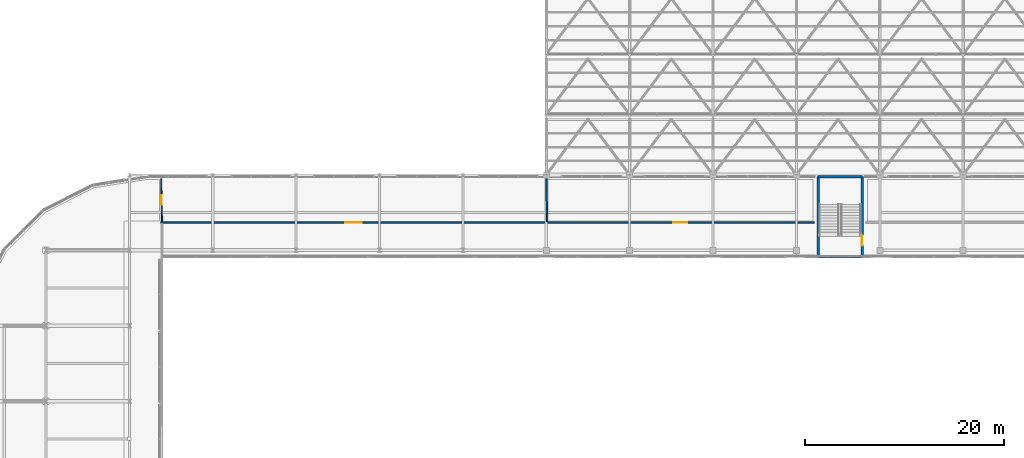
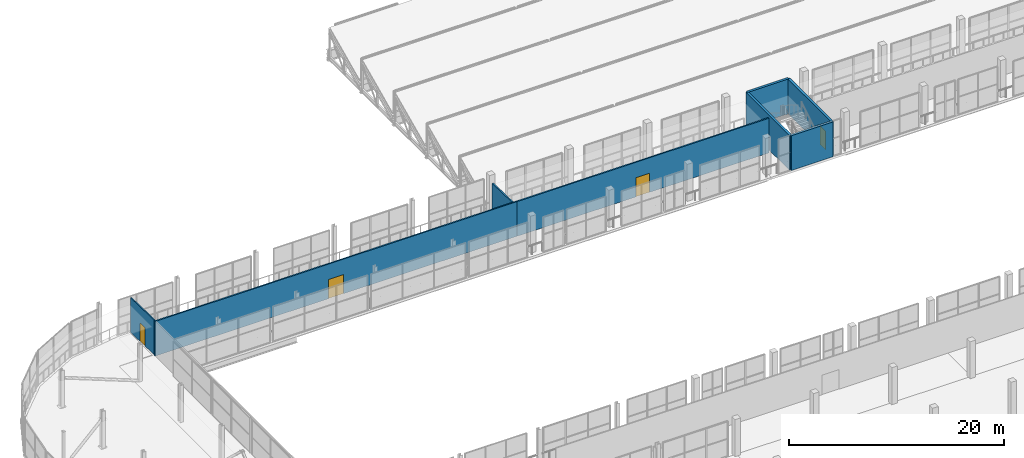
# One storey, part 196 of 217: 8 walls, 4 doors, 4 openings.
"""IFC4 building model written with IfcOpenShell, lengths in metres."""

from ifc_helpers import new_model, si_unit, direction, frame, frame_2d, origin, place, context, subcontext, project, spatial, rectangle, extrude, material, layer, layer_set, type_object, element, fill, save


model = new_model("IFC4")

# Units and contexts
model_context = context("Model", 3, precision=1e-05, world=origin(), true_north=direction((0.0, 1.0)))
body_context = subcontext(model_context, "Body", "Model", "MODEL_VIEW")
ifc_project = project(units=[si_unit("LENGTHUNIT", "METRE"), si_unit("AREAUNIT", "SQUARE_METRE"), si_unit("VOLUMEUNIT", "CUBIC_METRE"), si_unit("PLANEANGLEUNIT", "RADIAN"), si_unit("MASSUNIT", "GRAM", prefix="KILO")], contexts=[model_context])

# Site, building, storey
site_placement = place(None, origin())
site = spatial("IfcSite", under=ifc_project, at=site_placement, CompositionType="ELEMENT")
building_placement = place(site_placement, origin())
building = spatial("IfcBuilding", under=site, at=building_placement, Name="Zuvorla Pavilion Media Centre", CompositionType="ELEMENT")
storey_placement = place(building_placement, frame((0.0, 0.0, 9.60009765625)))
storey = spatial("IfcBuildingStorey", under=building, at=storey_placement, Name="L02", CompositionType="ELEMENT", Elevation=9.60009765625)

# Wall
ifc_material_1 = material(Name="Concrete C40/50", Category="concrete")
ifc_layer_1 = layer(ifc_material_1, 0.25)
ifc_layer_set_1 = layer_set([ifc_layer_1], Name="Concrete C40/50")
wall_type_1 = type_object("IfcWallType", Name="WL-COR-250", PredefinedType="SHEAR", material=ifc_layer_set_1)
wall_1_placement = place(storey_placement, frame((94.175048828125, 81.324951171875, 0.0), z_axis=(0.0, 0.0, 1.0), x_axis=(0.0, 1.0, 0.0)))
element("IfcWall", 1, at=wall_1_placement, inside=storey, type_object=wall_type_1, Name="L02 shear wall CW25 340", PredefinedType="SHEAR", context=body_context, shape_type="SweptSolid", body=[
    extrude(rectangle(XDim=8.10009765625, YDim=0.25, at=frame_2d((4.050048828125, 0.0))), origin(), (0.0, 0.0, 1.0), 3.949951171875),
])

# Wall, opening, door
wall_2_placement = place(storey_placement, frame((98.625, 81.324951171875, 0.0), z_axis=(0.0, 0.0, 1.0), x_axis=(0.0, 1.0, 0.0)))
wall_2 = element("IfcWall", 2, at=wall_2_placement, inside=storey, type_object=wall_type_1, Name="L02 shear wall CW25 341", PredefinedType="SHEAR", context=body_context, shape_type="SweptSolid", body=[
    extrude(rectangle(XDim=8.10009765625, YDim=0.25, at=frame_2d((4.050048828125, 0.0))), origin(), (0.0, 0.0, 1.0), 3.949951171875),
])
opening_1_placement = place(wall_2_placement, frame((1.14990234375, 0.0, 0.0)))
opening_1 = element("IfcOpeningElement", 3, at=opening_1_placement, cuts=wall_2, Name="Opening FD04", PredefinedType="OPENING", context=body_context, shape_type="SweptSolid", body=[
    extrude(rectangle(XDim=1.050048828125, YDim=2.10009765625, at=frame_2d((0.52490234375, 1.050048828125))), frame((0.0, 0.135009765625, 0.0), z_axis=(0.0, -1.0, 0.0), x_axis=(1.0, 0.0, 0.0)), (0.0, 0.0, 1.0), 0.27001953125),
])
ifc_material_2 = material(Name="Acoustic timber fire door leaf in steel frame", Category="steel")
door_type_1 = type_object("IfcDoorType", Name="DR-INT-FD04", OperationType="NOTDEFINED", PredefinedType="DOOR", material=ifc_material_2)
door_1_placement = place(opening_1_placement, frame((1.050048828125, 0.0, 0.0), z_axis=(0.0, 0.0, 1.0), x_axis=(-1.0, 0.0, 0.0)))
door_1 = element("IfcDoor", 4, at=door_1_placement, inside=storey, type_object=door_type_1, Name="Stair ST-05 fire door FD04 115", OperationType="SINGLE_SWING_LEFT", OverallHeight=2.10009765625, OverallWidth=1.050048828125, PredefinedType="DOOR", context=body_context, shape_type="SweptSolid", body=[
    extrude(rectangle(XDim=1.050048828125, YDim=2.10009765625, at=frame_2d((0.52490234375, 1.050048828125))), frame((0.0, 0.02490234375, 0.0), z_axis=(0.0, -1.0, 0.0), x_axis=(1.0, 0.0, 0.0)), (0.0, 0.0, 1.0), 0.050048828125),
])
fill(opening_1, door_1)

# Walls
for number, where, z_axis, x_axis, name in (
    (5, (94.175048828125, 89.425048828125, 0.0), (0.0, 0.0, 1.0), (1.0, 0.0, 0.0), "L02 shear wall CW25 342"),
    (6, (94.175048828125, 81.324951171875, 0.0), (0.0, 0.0, 1.0), (1.0, 0.0, 0.0), "L02 shear wall CW25 343"),
):
    element("IfcWall", number, at=place(storey_placement, frame(where, z_axis=z_axis, x_axis=x_axis)), inside=storey, type_object=wall_type_1, Name=name, PredefinedType="SHEAR", context=body_context, shape_type="SweptSolid", body=[
        extrude(rectangle(XDim=4.449951171875, YDim=0.25, at=frame_2d((2.22509765625, 0.0))), origin(), (0.0, 0.0, 1.0), 3.949951171875),
    ])

# Wall, opening, door
ifc_material_3 = material(Name="Lightweight gypsum partition")
ifc_layer_2 = layer(ifc_material_3, 0.1201171875)
ifc_layer_set_2 = layer_set([ifc_layer_2], Name="Lightweight gypsum partition")
wall_type_2 = type_object("IfcWallType", Name="WL-PRT-120", PredefinedType="PARTITIONING", material=ifc_layer_set_2)
wall_3_placement = place(storey_placement, frame((28.08837890625, 84.889892578125, 0.0), z_axis=(0.0, 0.0, 1.0), x_axis=(-0.020011778824, 0.999799744303, 0.0)))
wall_3 = element("IfcWall", 7, at=wall_3_placement, inside=storey, type_object=wall_type_2, Name="L02 partition PT12 515", PredefinedType="PARTITIONING", context=body_context, shape_type="SweptSolid", body=[
    extrude(rectangle(XDim=4.3310546875, YDim=0.1201171875, at=frame_2d((2.16552734375, 0.0))), origin(), (0.0, 0.0, 1.0), 3.929931640625),
])
opening_2_placement = place(wall_3_placement, frame((1.67529296875, 0.0, 0.0)))
opening_2 = element("IfcOpeningElement", 8, at=opening_2_placement, cuts=wall_3, Name="Opening ID03", PredefinedType="OPENING", context=body_context, shape_type="SweptSolid", body=[
    extrude(rectangle(XDim=0.97998046875, YDim=2.080078125, at=frame_2d((0.489990234375, 1.0400390625))), frame((0.0, 0.070068359375, 0.0), z_axis=(0.0, -1.0, 0.0), x_axis=(1.0, 0.0, 0.0)), (0.0, 0.0, 1.0), 0.14013671875),
])
ifc_material_4 = material(Name="Hardwood acoustic studio door in anodised frame", Category="wood")
door_type_2 = type_object("IfcDoorType", Name="DR-UNR-ID03", OperationType="NOTDEFINED", PredefinedType="DOOR", material=ifc_material_4)
door_2_placement = place(opening_2_placement, origin())
door_2 = element("IfcDoor", 9, at=door_2_placement, inside=storey, type_object=door_type_2, Name="Interior door ID03 218", OperationType="SINGLE_SWING_LEFT", OverallHeight=2.080078125, OverallWidth=0.97998046875, PredefinedType="DOOR", context=body_context, shape_type="SweptSolid", body=[
    extrude(rectangle(XDim=0.97998046875, YDim=2.080078125, at=frame_2d((0.489990234375, 1.0400390625))), frame((0.0, 0.02490234375, 0.0), z_axis=(0.0, -1.0, 0.0), x_axis=(1.0, 0.0, 0.0)), (0.0, 0.0, 1.0), 0.050048828125),
])
fill(opening_2, door_2)

ifc_material_5 = material(Name="Acoustic gypsum stud partition")
ifc_layer_3 = layer(ifc_material_5, 0.14990234375)
ifc_layer_set_3 = layer_set([ifc_layer_3], Name="Acoustic gypsum stud partition")
wall_type_3 = type_object("IfcWallType", Name="WL-PRT-150", PredefinedType="PARTITIONING", material=ifc_layer_set_3)
wall_4_placement = place(storey_placement, frame((66.780517578125, 84.800048828125, 0.0), z_axis=(0.0, 0.0, 1.0), x_axis=(1.0, 0.0, 0.0)))
wall_4 = element("IfcWall", 10, at=wall_4_placement, inside=storey, type_object=wall_type_3, Name="L02 partition PT15 503", PredefinedType="PARTITIONING", context=body_context, shape_type="SweptSolid", body=[
    extrude(rectangle(XDim=27.0390625, YDim=0.14990234375, at=frame_2d((13.51953125, 0.0))), origin(), (0.0, 0.0, 1.0), 3.929931640625),
])
opening_3_placement = place(wall_4_placement, frame((12.79443359375, 0.0, 0.0)))
opening_3 = element("IfcOpeningElement", 11, at=opening_3_placement, cuts=wall_4, Name="Opening ID09", PredefinedType="OPENING", context=body_context, shape_type="SweptSolid", body=[
    extrude(rectangle(XDim=1.449951171875, YDim=2.179931640625, at=frame_2d((0.72509765625, 1.08984375))), frame((0.0, 0.0849609375, 0.0), z_axis=(0.0, -1.0, 0.0), x_axis=(1.0, 0.0, 0.0)), (0.0, 0.0, 1.0), 0.169921875),
])
door_type_3 = type_object("IfcDoorType", Name="DR-UNR-ID09", OperationType="NOTDEFINED", PredefinedType="DOOR", material=ifc_material_4)
door_3_placement = place(opening_3_placement, origin())
door_3 = element("IfcDoor", 12, at=door_3_placement, inside=storey, type_object=door_type_3, Name="Interior door ID09 210", OperationType="DOUBLE_DOOR_SINGLE_SWING", OverallHeight=2.179931640625, OverallWidth=1.449951171875, PredefinedType="DOOR", context=body_context, shape_type="SweptSolid", body=[
    extrude(rectangle(XDim=1.449951171875, YDim=2.179931640625, at=frame_2d((0.72509765625, 1.08984375))), frame((0.0, 0.02490234375, 0.0), z_axis=(0.0, -1.0, 0.0), x_axis=(1.0, 0.0, 0.0)), (0.0, 0.0, 1.0), 0.050048828125),
])
fill(opening_3, door_3)

wall_5_placement = place(storey_placement, frame((27.98046875, 84.800048828125, 0.0), z_axis=(0.0, 0.0, 1.0), x_axis=(1.0, 0.0, 0.0)))
wall_5 = element("IfcWall", 13, at=wall_5_placement, inside=storey, type_object=wall_type_3, Name="L02 partition PT15 504", PredefinedType="PARTITIONING", context=body_context, shape_type="SweptSolid", body=[
    extrude(rectangle(XDim=38.8291015625, YDim=0.14990234375, at=frame_2d((19.41455078125, 0.0))), origin(), (0.0, 0.0, 1.0), 3.929931640625),
])
opening_4_placement = place(wall_5_placement, frame((18.589599609375, 0.0, 0.0)))
opening_4 = element("IfcOpeningElement", 14, at=opening_4_placement, cuts=wall_5, Name="Opening ID10", PredefinedType="OPENING", context=body_context, shape_type="SweptSolid", body=[
    extrude(rectangle(XDim=1.64990234375, YDim=2.179931640625, at=frame_2d((0.824951171875, 1.08984375))), frame((0.0, 0.0849609375, 0.0), z_axis=(0.0, -1.0, 0.0), x_axis=(1.0, 0.0, 0.0)), (0.0, 0.0, 1.0), 0.169921875),
])
door_type_4 = type_object("IfcDoorType", Name="DR-UNR-ID10", OperationType="NOTDEFINED", PredefinedType="DOOR", material=ifc_material_4)
door_4_placement = place(opening_4_placement, origin())
door_4 = element("IfcDoor", 15, at=door_4_placement, inside=storey, type_object=door_type_4, Name="Interior door ID10 211", OperationType="DOUBLE_DOOR_SINGLE_SWING", OverallHeight=2.179931640625, OverallWidth=1.64990234375, PredefinedType="DOOR", context=body_context, shape_type="SweptSolid", body=[
    extrude(rectangle(XDim=1.64990234375, YDim=2.179931640625, at=frame_2d((0.824951171875, 1.08984375))), frame((0.0, 0.02490234375, 0.0), z_axis=(0.0, -1.0, 0.0), x_axis=(1.0, 0.0, 0.0)), (0.0, 0.0, 1.0), 0.050048828125),
])
fill(opening_4, door_4)

# Wall
wall_6_placement = place(storey_placement, frame((66.888427734375, 84.889892578125, 0.0), z_axis=(0.0, 0.0, 1.0), x_axis=(-0.020114607198, 0.999797680822, 0.0)))
element("IfcWall", 16, at=wall_6_placement, inside=storey, type_object=wall_type_3, Name="L02 partition PT15 514", PredefinedType="PARTITIONING", context=body_context, shape_type="SweptSolid", body=[
    extrude(rectangle(XDim=4.321044921875, YDim=0.14990234375, at=frame_2d((2.16064453125, 0.0))), origin(), (0.0, 0.0, 1.0), 3.3046875),
])

save(model, "model.ifc")
